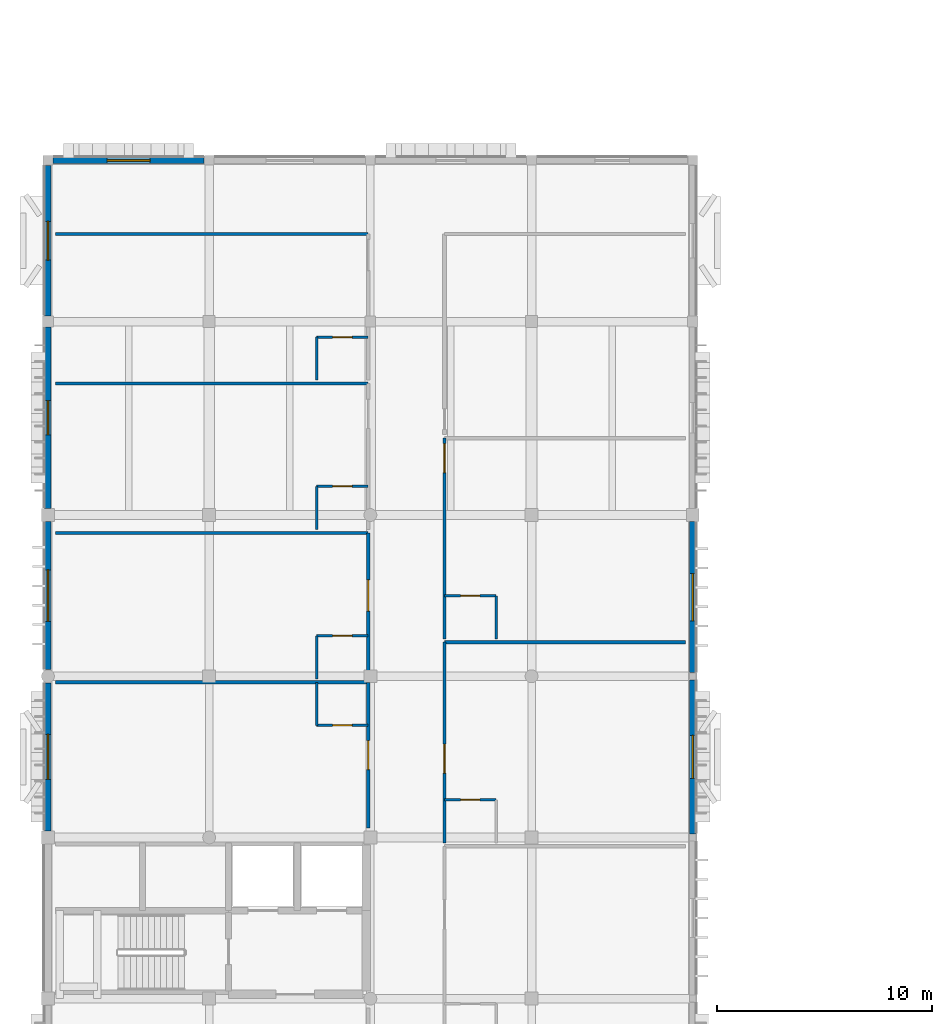
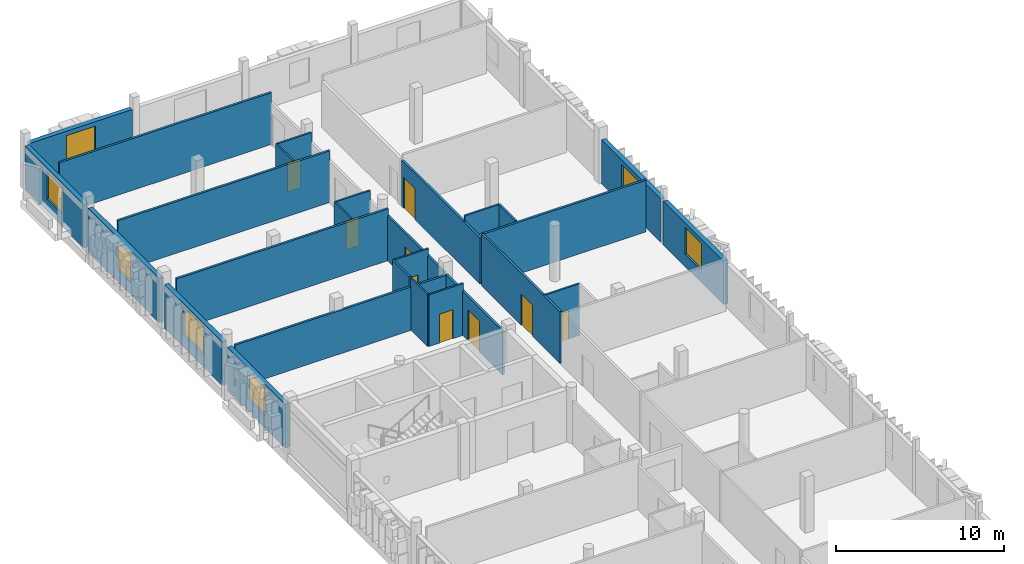
# One storey, part 15 of 33: 27 walls, 10 doors, 7 windows, 17 openings.
"""IFC4 building model written with IfcOpenShell, lengths in metres."""

import ifcopenshell
import ifcopenshell.guid

model = None  # the IFC model being written
_history = None  # IfcOwnerHistory: only IFC2X3 demands one
_inside = {}  # id of a spatial element -> (the spatial element, [elements in it])
_under = {}  # id of a project, library or spatial element -> (it, [spatial elements below it])
_declared = {}  # id of a project -> (the project, [libraries it declares])
_typed = {}  # id of a type object -> (the type object, [elements of that type])
_made_of = {}  # id of a material, layer set ... -> (it, [elements and type objects made of it])


def new_model(schema):
    """Start an empty IFC model of exactly this schema.

    Asked for "IFC4X3", IfcOpenShell would pick the latest addendum, in which some entities
    have other attributes; the version numbers below select the first issue.
    IFC2X3 requires an IfcOwnerHistory on every rooted entity: one is made here for all.
    """
    global model, _history
    if schema == "IFC4X3":
        model = ifcopenshell.file(schema_version=(4, 3, 0, 0))
    else:
        model = ifcopenshell.file(schema=schema)
    _inside.clear()
    _under.clear()
    _declared.clear()
    _typed.clear()
    _made_of.clear()
    _history = None
    if model.schema == "IFC2X3":
        org = make("IfcOrganization", Name="unknown")
        user = make(
            "IfcPersonAndOrganization",
            ThePerson=make("IfcPerson", FamilyName="unknown"),
            TheOrganization=org,
        )
        app = make(
            "IfcApplication",
            ApplicationDeveloper=org,
            Version="unknown",
            ApplicationFullName="unknown",
            ApplicationIdentifier="unknown",
        )
        _history = make(
            "IfcOwnerHistory",
            OwningUser=user,
            OwningApplication=app,
            ChangeAction="ADDED",
            CreationDate=0,
        )
    return model


def make(cls, **values):
    """One entity of the class cls with the attributes given. An attribute that is None is left unset."""
    return model.create_entity(
        cls, **{name: value for name, value in values.items() if value is not None}
    )


def rooted(cls, **values):
    """An entity with a GlobalId (a new one), such as an element, a storey or a relation."""
    return make(cls, GlobalId=ifcopenshell.guid.new(), OwnerHistory=_history, **values)


def si_unit(unit_type, name, prefix=None):
    """IfcSIUnit, for example si_unit("LENGTHUNIT", "METRE", prefix="MILLI")."""
    return make("IfcSIUnit", UnitType=unit_type, Prefix=prefix, Name=name)


def assignment(units):
    """IfcUnitAssignment: the units of a project."""
    return None if units is None else make("IfcUnitAssignment", Units=units)


def point(xyz):
    """IfcCartesianPoint."""
    return None if xyz is None else make("IfcCartesianPoint", Coordinates=xyz)


def direction(xyz):
    """IfcDirection."""
    return None if xyz is None else make("IfcDirection", DirectionRatios=xyz)


def frame(location, z_axis=None, x_axis=None):
    """IfcAxis2Placement3D, a coordinate frame: its origin and axes. An axis left out is left unset."""
    return make(
        "IfcAxis2Placement3D",
        Location=point(location),
        Axis=direction(z_axis),
        RefDirection=direction(x_axis),
    )


def frame_2d(location, x_axis=None):
    """IfcAxis2Placement2D, a coordinate frame in the plane: its origin and x axis."""
    return make(
        "IfcAxis2Placement2D", Location=point(location), RefDirection=direction(x_axis)
    )


def origin():
    """The frame at (0, 0, 0) with its axes left unset."""
    return frame((0.0, 0.0, 0.0))


def place(relative_to, where):
    """IfcLocalPlacement: puts the frame where relative to a parent placement (None: the world)."""
    return make(
        "IfcLocalPlacement", PlacementRelTo=relative_to, RelativePlacement=where
    )


def context(
    kind, dimensions, precision=None, world=None, true_north=None, identifier=None
):
    """IfcGeometricRepresentationContext, for example the 3D "Model" context."""
    return make(
        "IfcGeometricRepresentationContext",
        ContextIdentifier=identifier,
        ContextType=kind,
        CoordinateSpaceDimension=dimensions,
        Precision=precision,
        WorldCoordinateSystem=world,
        TrueNorth=true_north,
    )


def subcontext(parent, identifier, kind, view, scale=None):
    """IfcGeometricRepresentationSubContext, for example "Body" below "Model"."""
    return make(
        "IfcGeometricRepresentationSubContext",
        ContextIdentifier=identifier,
        ContextType=kind,
        ParentContext=parent,
        TargetScale=scale,
        TargetView=view,
    )


def project(units=None, contexts=None):
    """IfcProject with its units and contexts."""
    return rooted(
        "IfcProject",
        Name="project",
        RepresentationContexts=contexts,
        UnitsInContext=assignment(units),
    )


def spatial(cls, under=None, at=None, **own):
    """A site, building, storey or space (cls), placed at a placement, below another one or the project."""
    s = rooted(cls, ObjectPlacement=at, **own)
    if under is not None:
        _under.setdefault(under.id(), (under, []))[1].append(s)
    return s


def profile(cls, at=None, kind="AREA", **sizes):
    """A parametric profile (cls). Its sizes go by their IFC names, for example OverallWidth=200.0."""
    return make(cls, ProfileType=kind, Position=at, **sizes)


def rectangle(**sizes):
    """IfcRectangleProfileDef."""
    return profile("IfcRectangleProfileDef", **sizes)


def extrude(swept, where, along, depth):
    """IfcExtrudedAreaSolid: the profile swept, set in the frame where, extruded along a direction by depth."""
    return make(
        "IfcExtrudedAreaSolid",
        SweptArea=swept,
        Position=where,
        ExtrudedDirection=direction(along),
        Depth=depth,
    )


def shape(context_of_items, identifier, shape_type, items):
    """IfcShapeRepresentation: the items that make up one representation, for example the "Body"."""
    return make(
        "IfcShapeRepresentation",
        ContextOfItems=context_of_items,
        RepresentationIdentifier=identifier,
        RepresentationType=shape_type,
        Items=items,
    )


def material(Name=None, Category=None):
    """IfcMaterial."""
    return make("IfcMaterial", Name=Name, Category=Category)


def layer(
    of_material, thickness, ventilated=None, Name=None, Category=None, Priority=None
):
    """IfcMaterialLayer: one layer of a wall or slab, of a material (None: an air gap)."""
    return make(
        "IfcMaterialLayer",
        Material=of_material,
        LayerThickness=thickness,
        IsVentilated=ventilated,
        Name=Name,
        Category=Category,
        Priority=Priority,
    )


def layer_set(layers, Name=None):
    """IfcMaterialLayerSet."""
    return make("IfcMaterialLayerSet", MaterialLayers=layers, LayerSetName=Name)


def made_of(thing, what):
    """Note that an element or type object is made of a material, layer set ...; save() writes the relation."""
    if what is not None:
        _made_of.setdefault(what.id(), (what, []))[1].append(thing)
    return thing


def type_object(cls, material=None, **own):
    """A type object (cls), such as IfcWallType, which elements share."""
    return made_of(rooted(cls, **own), material)


def element(
    cls,
    number,
    at=None,
    inside=None,
    cuts=None,
    type_object=None,
    material=None,
    context=None,
    identifier="Body",
    shape_type=None,
    held_by="IfcProductDefinitionShape",
    body=None,
    shapes=None,
    **own,
):
    """One element of the class cls, such as IfcWall. Its Tag is "e" and its number.

    at: its placement. inside: the storey or other place that contains it. cuts: it is an
    opening in that element (IfcRelVoidsElement). A single representation is given by context,
    identifier, shape_type and body (its items); several are given by shapes. held_by: the class
    of the entity that holds the representations. save() writes the other relations.
    """
    e = rooted(cls, Tag="e%d" % number, ObjectPlacement=at, **own)
    if body is not None:
        shapes = [shape(context, identifier, shape_type, body)]
    if shapes is not None:
        e.Representation = make(held_by, Representations=shapes)
    if inside is not None:
        _inside.setdefault(inside.id(), (inside, []))[1].append(e)
    if cuts is not None:
        rooted(
            "IfcRelVoidsElement", RelatingBuildingElement=cuts, RelatedOpeningElement=e
        )
    if type_object is not None:
        _typed.setdefault(type_object.id(), (type_object, []))[1].append(e)
    return made_of(e, material)


def fill(opening, filler):
    """IfcRelFillsElement: the door or window that sits in an opening."""
    return rooted(
        "IfcRelFillsElement",
        RelatingOpeningElement=opening,
        RelatedBuildingElement=filler,
    )


def aggregate(whole, parts):
    """IfcRelAggregates: a whole, such as a stair, and the parts it consists of."""
    return rooted("IfcRelAggregates", RelatingObject=whole, RelatedObjects=parts)


def save(model, path):
    """Write the relations noted so far, then the file.

    IfcRelAggregates (storeys below a building ...), IfcRelContainedInSpatialStructure (elements
    in a storey), IfcRelDefinesByType, IfcRelAssociatesMaterial and IfcRelDeclares: one each for
    every whole, place, type object, material and project.
    """
    for whole, parts in _under.values():
        aggregate(whole, parts)
    for where, things in _inside.values():
        rooted(
            "IfcRelContainedInSpatialStructure",
            RelatedElements=things,
            RelatingStructure=where,
        )
    for kind, things in _typed.values():
        rooted("IfcRelDefinesByType", RelatedObjects=things, RelatingType=kind)
    for what, things in _made_of.values():
        rooted("IfcRelAssociatesMaterial", RelatedObjects=things, RelatingMaterial=what)
    for by, libraries in _declared.values():
        rooted("IfcRelDeclares", RelatingContext=by, RelatedDefinitions=libraries)
    model.write(path)


model = new_model("IFC4")

# Units and contexts
model_context = context("Model", 3, precision=1e-05, world=origin(), true_north=direction((0.0, 1.0)))
body_context = subcontext(model_context, "Body", "Model", "MODEL_VIEW")
ifc_project = project(units=[si_unit("LENGTHUNIT", "METRE"), si_unit("AREAUNIT", "SQUARE_METRE"), si_unit("VOLUMEUNIT", "CUBIC_METRE"), si_unit("PLANEANGLEUNIT", "RADIAN"), si_unit("MASSUNIT", "GRAM", prefix="KILO")], contexts=[model_context])

# Site, building, storey
site_placement = place(None, origin())
site = spatial("IfcSite", under=ifc_project, at=site_placement, CompositionType="ELEMENT")
building_placement = place(site_placement, origin())
building = spatial("IfcBuilding", under=site, at=building_placement, Name="Dalvernix Boulevard General Hospital", CompositionType="ELEMENT")
storey_placement = place(building_placement, frame((0.0, 0.0, 21.89990234375)))
storey = spatial("IfcBuildingStorey", under=building, at=storey_placement, Name="L05", CompositionType="ELEMENT", Elevation=21.89990234375)

# Wall, opening, window
ifc_material_1 = material(Name="Pressed Catalan clay brick and ceramic spandrel wall C35/45", Category="masonry")
ifc_layer_1 = layer(ifc_material_1, 0.300048828125)
ifc_layer_set_1 = layer_set([ifc_layer_1], Name="Pressed Catalan clay brick and ceramic spandrel wall C35/45 (WAL-EW-02)")
wall_type_1 = type_object("IfcWallType", Name="WAL-EW-02", PredefinedType="STANDARD", material=ifc_layer_set_1)
wall_1_placement = place(storey_placement, frame((0.0, 61.81005859375, 0.0), z_axis=(0.0, 0.0, 1.0), x_axis=(0.0, 1.0, 0.0)))
wall_1 = element("IfcWall", 1, at=wall_1_placement, inside=storey, type_object=wall_type_1, Name="L05 Catalan brick external wall W 0-8", PredefinedType="STANDARD", context=body_context, shape_type="SweptSolid", body=[
    extrude(rectangle(XDim=6.8798828125, YDim=0.300048828125, at=frame_2d((3.43994140625, 0.0))), origin(), (0.0, 0.0, 1.0), 3.170166015625),
])
opening_1_placement = place(wall_1_placement, frame((2.389892578125, 0.0, 0.89990234375)))
opening_1 = element("IfcOpeningElement", 2, at=opening_1_placement, cuts=wall_1, Name="Opening WN-08", PredefinedType="OPENING", context=body_context, shape_type="SweptSolid", body=[
    extrude(rectangle(XDim=2.10009765625, YDim=1.989990234375, at=frame_2d((1.050048828125, 0.9951171875))), frame((0.0, 0.159912109375, 0.0), z_axis=(0.0, -1.0, 0.0), x_axis=(1.0, 0.0, 0.0)), (0.0, 0.0, 1.0), 0.320068359375),
])
ifc_material_2 = material(Name="Thermally broken aluminium frame with solar-control double glazing", Category="aluminium")
window_type_1 = type_object("IfcWindowType", Name="WIN-WN-08", PartitioningType="SINGLE_PANEL", PredefinedType="WINDOW", material=ifc_material_2)
window_1_placement = place(opening_1_placement, origin())
window_1 = element("IfcWindow", 3, at=window_1_placement, inside=storey, type_object=window_type_1, Name="L05 clinical window WN-08 W 0-8", OverallHeight=1.989990234375, OverallWidth=2.10009765625, PartitioningType="SINGLE_PANEL", PredefinedType="WINDOW", context=body_context, shape_type="SweptSolid", body=[
    extrude(rectangle(XDim=2.10009765625, YDim=1.989990234375, at=frame_2d((1.050048828125, 0.9951171875))), frame((0.0, 0.030029296875, 0.0), z_axis=(0.0, -1.0, 0.0), x_axis=(1.0, 0.0, 0.0)), (0.0, 0.0, 1.0), 0.06005859375),
])
fill(opening_1, window_1)

wall_2_placement = place(storey_placement, frame((0.0, 69.31005859375, 0.0), z_axis=(0.0, 0.0, 1.0), x_axis=(0.0, 1.0, 0.0)))
wall_2 = element("IfcWall", 4, at=wall_2_placement, inside=storey, type_object=wall_type_1, Name="L05 Catalan brick external wall W 0-9", PredefinedType="STANDARD", context=body_context, shape_type="SweptSolid", body=[
    extrude(rectangle(XDim=6.8798828125, YDim=0.300048828125, at=frame_2d((3.43994140625, 0.0))), origin(), (0.0, 0.0, 1.0), 3.170166015625),
])
opening_2_placement = place(wall_2_placement, frame((2.239990234375, 0.0, 0.89990234375)))
opening_2 = element("IfcOpeningElement", 5, at=opening_2_placement, cuts=wall_2, Name="Opening WN-09", PredefinedType="OPENING", context=body_context, shape_type="SweptSolid", body=[
    extrude(rectangle(XDim=2.39990234375, YDim=1.989990234375, at=frame_2d((1.199951171875, 0.9951171875))), frame((0.0, 0.159912109375, 0.0), z_axis=(0.0, -1.0, 0.0), x_axis=(1.0, 0.0, 0.0)), (0.0, 0.0, 1.0), 0.320068359375),
])
window_type_2 = type_object("IfcWindowType", Name="WIN-WN-09", PartitioningType="SINGLE_PANEL", PredefinedType="WINDOW", material=ifc_material_2)
window_2_placement = place(opening_2_placement, origin())
window_2 = element("IfcWindow", 6, at=window_2_placement, inside=storey, type_object=window_type_2, Name="L05 clinical window WN-09 W 0-9", OverallHeight=1.989990234375, OverallWidth=2.39990234375, PartitioningType="SINGLE_PANEL", PredefinedType="WINDOW", context=body_context, shape_type="SweptSolid", body=[
    extrude(rectangle(XDim=2.39990234375, YDim=1.989990234375, at=frame_2d((1.199951171875, 0.9951171875))), frame((0.0, 0.030029296875, 0.0), z_axis=(0.0, -1.0, 0.0), x_axis=(1.0, 0.0, 0.0)), (0.0, 0.0, 1.0), 0.06005859375),
])
fill(opening_2, window_2)

wall_3_placement = place(storey_placement, frame((0.0, 76.81005859375, 0.0), z_axis=(0.0, 0.0, 1.0), x_axis=(0.0, 1.0, 0.0)))
wall_3 = element("IfcWall", 7, at=wall_3_placement, inside=storey, type_object=wall_type_1, Name="L05 Catalan brick external wall W 0-10", PredefinedType="STANDARD", context=body_context, shape_type="SweptSolid", body=[
    extrude(rectangle(XDim=8.429931640625, YDim=0.300048828125, at=frame_2d((4.21484375, 0.0))), origin(), (0.0, 0.0, 1.0), 3.22021484375),
])
opening_3_placement = place(wall_3_placement, frame((3.4150390625, 0.0, 0.89990234375)))
opening_3 = element("IfcOpeningElement", 8, at=opening_3_placement, cuts=wall_3, Name="Opening WN-10", PredefinedType="OPENING", context=body_context, shape_type="SweptSolid", body=[
    extrude(rectangle(XDim=1.60009765625, YDim=1.949951171875, at=frame_2d((0.800048828125, 0.97509765625))), frame((0.0, 0.159912109375, 0.0), z_axis=(0.0, -1.0, 0.0), x_axis=(1.0, 0.0, 0.0)), (0.0, 0.0, 1.0), 0.320068359375),
])
window_type_3 = type_object("IfcWindowType", Name="WIN-WN-10", PartitioningType="SINGLE_PANEL", PredefinedType="WINDOW", material=ifc_material_2)
window_3_placement = place(opening_3_placement, origin())
window_3 = element("IfcWindow", 9, at=window_3_placement, inside=storey, type_object=window_type_3, Name="L05 clinical window WN-10 W 0-10", OverallHeight=1.949951171875, OverallWidth=1.60009765625, PartitioningType="SINGLE_PANEL", PredefinedType="WINDOW", context=body_context, shape_type="SweptSolid", body=[
    extrude(rectangle(XDim=1.60009765625, YDim=1.949951171875, at=frame_2d((0.800048828125, 0.97509765625))), frame((0.0, 0.030029296875, 0.0), z_axis=(0.0, -1.0, 0.0), x_axis=(1.0, 0.0, 0.0)), (0.0, 0.0, 1.0), 0.06005859375),
])
fill(opening_3, window_3)

wall_4_placement = place(storey_placement, frame((0.235107421875, 93.0, 0.0), z_axis=(0.0, 0.0, 1.0), x_axis=(1.0, 0.0, 0.0)))
wall_4 = element("IfcWall", 10, at=wall_4_placement, inside=storey, type_object=wall_type_1, Name="L05 Catalan brick external wall N 0-12", PredefinedType="STANDARD", context=body_context, shape_type="SweptSolid", body=[
    extrude(rectangle(XDim=7.02978515625, YDim=0.300048828125, at=frame_2d((3.514892578125, 0.0))), origin(), (0.0, 0.0, 1.0), 3.170166015625),
])
opening_4_placement = place(wall_4_placement, frame((2.514892578125, 0.0, 0.89990234375)))
opening_4 = element("IfcOpeningElement", 11, at=opening_4_placement, cuts=wall_4, Name="Opening WN-12", PredefinedType="OPENING", context=body_context, shape_type="SweptSolid", body=[
    extrude(rectangle(XDim=2.0, YDim=1.949951171875, at=frame_2d((1.0, 0.97509765625))), frame((0.0, 0.159912109375, 0.0), z_axis=(0.0, -1.0, 0.0), x_axis=(1.0, 0.0, 0.0)), (0.0, 0.0, 1.0), 0.320068359375),
])
window_type_4 = type_object("IfcWindowType", Name="WIN-WN-12", PartitioningType="SINGLE_PANEL", PredefinedType="WINDOW", material=ifc_material_2)
window_4_placement = place(opening_4_placement, origin())
window_4 = element("IfcWindow", 12, at=window_4_placement, inside=storey, type_object=window_type_4, Name="L05 clinical window WN-12 N 0-12", OverallHeight=1.949951171875, OverallWidth=2.0, PartitioningType="SINGLE_PANEL", PredefinedType="WINDOW", context=body_context, shape_type="SweptSolid", body=[
    extrude(rectangle(XDim=2.0, YDim=1.949951171875, at=frame_2d((1.0, 0.97509765625))), frame((0.0, 0.030029296875, 0.0), z_axis=(0.0, -1.0, 0.0), x_axis=(1.0, 0.0, 0.0)), (0.0, 0.0, 1.0), 0.06005859375),
])
fill(opening_4, window_4)

wall_5_placement = place(storey_placement, frame((0.0, 85.760009765625, 0.0), z_axis=(0.0, 0.0, 1.0), x_axis=(0.0, 1.0, 0.0)))
wall_5 = element("IfcWall", 13, at=wall_5_placement, inside=storey, type_object=wall_type_1, Name="L05 Catalan brick external wall W 0-11", PredefinedType="STANDARD", context=body_context, shape_type="SweptSolid", body=[
    extrude(rectangle(XDim=7.0048828125, YDim=0.300048828125, at=frame_2d((3.50244140625, 0.0))), origin(), (0.0, 0.0, 1.0), 3.170166015625),
])
opening_5_placement = place(wall_5_placement, frame((2.6025390625, 0.0, 0.89990234375)))
opening_5 = element("IfcOpeningElement", 14, at=opening_5_placement, cuts=wall_5, Name="Opening WN-11", PredefinedType="OPENING", context=body_context, shape_type="SweptSolid", body=[
    extrude(rectangle(XDim=1.800048828125, YDim=1.949951171875, at=frame_2d((0.89990234375, 0.97509765625))), frame((0.0, 0.159912109375, 0.0), z_axis=(0.0, -1.0, 0.0), x_axis=(1.0, 0.0, 0.0)), (0.0, 0.0, 1.0), 0.320068359375),
])
window_type_5 = type_object("IfcWindowType", Name="WIN-WN-11", PartitioningType="SINGLE_PANEL", PredefinedType="WINDOW", material=ifc_material_2)
window_5_placement = place(opening_5_placement, origin())
window_5 = element("IfcWindow", 15, at=window_5_placement, inside=storey, type_object=window_type_5, Name="L05 clinical window WN-11 W 0-11", OverallHeight=1.949951171875, OverallWidth=1.800048828125, PartitioningType="SINGLE_PANEL", PredefinedType="WINDOW", context=body_context, shape_type="SweptSolid", body=[
    extrude(rectangle(XDim=1.800048828125, YDim=1.949951171875, at=frame_2d((0.89990234375, 0.97509765625))), frame((0.0, 0.030029296875, 0.0), z_axis=(0.0, -1.0, 0.0), x_axis=(1.0, 0.0, 0.0)), (0.0, 0.0, 1.0), 0.06005859375),
])
fill(opening_5, window_5)

wall_6_placement = place(storey_placement, frame((30.0, 68.830078125, 0.0), z_axis=(0.0, 0.0, 1.0), x_axis=(0.0, -1.0, 0.0)))
wall_6 = element("IfcWall", 16, at=wall_6_placement, inside=storey, type_object=wall_type_1, Name="L05 Catalan brick external wall E 4-8", PredefinedType="STANDARD", context=body_context, shape_type="SweptSolid", body=[
    extrude(rectangle(XDim=7.16015625, YDim=0.300048828125, at=frame_2d((3.580078125, 0.0))), origin(), (0.0, 0.0, 1.0), 3.170166015625),
])
opening_6_placement = place(wall_6_placement, frame((2.580078125, 0.0, 0.89990234375)))
opening_6 = element("IfcOpeningElement", 17, at=opening_6_placement, cuts=wall_6, Name="Opening WN-12", PredefinedType="OPENING", context=body_context, shape_type="SweptSolid", body=[
    extrude(rectangle(XDim=2.0, YDim=1.949951171875, at=frame_2d((1.0, 0.97509765625))), frame((0.0, 0.159912109375, 0.0), z_axis=(0.0, -1.0, 0.0), x_axis=(1.0, 0.0, 0.0)), (0.0, 0.0, 1.0), 0.320068359375),
])
window_6_placement = place(opening_6_placement, origin())
window_6 = element("IfcWindow", 18, at=window_6_placement, inside=storey, type_object=window_type_4, Name="L05 clinical window WN-12 E 4-8", OverallHeight=1.949951171875, OverallWidth=2.0, PartitioningType="SINGLE_PANEL", PredefinedType="WINDOW", context=body_context, shape_type="SweptSolid", body=[
    extrude(rectangle(XDim=2.0, YDim=1.949951171875, at=frame_2d((1.0, 0.97509765625))), frame((0.0, 0.030029296875, 0.0), z_axis=(0.0, -1.0, 0.0), x_axis=(1.0, 0.0, 0.0)), (0.0, 0.0, 1.0), 0.06005859375),
])
fill(opening_6, window_6)

wall_7_placement = place(storey_placement, frame((30.0, 76.18994140625, 0.0), z_axis=(0.0, 0.0, 1.0), x_axis=(0.0, -1.0, 0.0)))
wall_7 = element("IfcWall", 19, at=wall_7_placement, inside=storey, type_object=wall_type_1, Name="L05 Catalan brick external wall E 4-9", PredefinedType="STANDARD", context=body_context, shape_type="SweptSolid", body=[
    extrude(rectangle(XDim=7.02001953125, YDim=0.300048828125, at=frame_2d((3.510009765625, 0.0))), origin(), (0.0, 0.0, 1.0), 3.170166015625),
])
opening_7_placement = place(wall_7_placement, frame((2.409912109375, 0.0, 0.89990234375)))
opening_7 = element("IfcOpeningElement", 20, at=opening_7_placement, cuts=wall_7, Name="Opening WN-13", PredefinedType="OPENING", context=body_context, shape_type="SweptSolid", body=[
    extrude(rectangle(XDim=2.199951171875, YDim=1.949951171875, at=frame_2d((1.10009765625, 0.97509765625))), frame((0.0, 0.159912109375, 0.0), z_axis=(0.0, -1.0, 0.0), x_axis=(1.0, 0.0, 0.0)), (0.0, 0.0, 1.0), 0.320068359375),
])
window_type_6 = type_object("IfcWindowType", Name="WIN-WN-13", PartitioningType="SINGLE_PANEL", PredefinedType="WINDOW", material=ifc_material_2)
window_7_placement = place(opening_7_placement, origin())
window_7 = element("IfcWindow", 21, at=window_7_placement, inside=storey, type_object=window_type_6, Name="L05 clinical window WN-13 E 4-9", OverallHeight=1.949951171875, OverallWidth=2.199951171875, PartitioningType="SINGLE_PANEL", PredefinedType="WINDOW", context=body_context, shape_type="SweptSolid", body=[
    extrude(rectangle(XDim=2.199951171875, YDim=1.949951171875, at=frame_2d((1.10009765625, 0.97509765625))), frame((0.0, 0.030029296875, 0.0), z_axis=(0.0, -1.0, 0.0), x_axis=(1.0, 0.0, 0.0)), (0.0, 0.0, 1.0), 0.06005859375),
])
fill(opening_7, window_7)

# Wall, opening, door
ifc_material_3 = material(Name="Acoustic double-stud gypsum inpatient partition")
ifc_layer_2 = layer(ifc_material_3, 0.14990234375)
ifc_layer_set_2 = layer_set([ifc_layer_2], Name="Acoustic double-stud gypsum inpatient partition (WAL-IW-04)")
wall_type_2 = type_object("IfcWallType", Name="WAL-IW-04", PredefinedType="PARTITIONING", material=ifc_layer_set_2)
wall_8_placement = place(storey_placement, frame((14.89990234375, 61.929931640625, 0.0), z_axis=(0.0, 0.0, 1.0), x_axis=(0.0, 1.0, 0.0)))
wall_8 = element("IfcWall", 22, at=wall_8_placement, inside=storey, type_object=wall_type_2, Name="L05 Orthopaedic Single Patient Room L05-W07 corridor wall", PredefinedType="PARTITIONING", context=body_context, shape_type="SweptSolid", body=[
    extrude(rectangle(XDim=6.7900390625, YDim=0.14990234375, at=frame_2d((3.39501953125, 0.0))), origin(), (0.0, 0.0, 1.0), 3.205078125),
])
opening_8_placement = place(wall_8_placement, frame((2.719970703125, 0.0, 0.0)))
opening_8 = element("IfcOpeningElement", 23, at=opening_8_placement, cuts=wall_8, Name="Opening ID-01", PredefinedType="OPENING", context=body_context, shape_type="SweptSolid", body=[
    extrude(rectangle(XDim=1.35009765625, YDim=2.25, at=frame_2d((0.675048828125, 1.125))), frame((0.0, 0.0849609375, 0.0), z_axis=(0.0, -1.0, 0.0), x_axis=(1.0, 0.0, 0.0)), (0.0, 0.0, 1.0), 0.169921875),
])
ifc_material_4 = material(Name="Hospital laminate acoustic timber and steel frame", Category="steel")
door_type_1 = type_object("IfcDoorType", Name="DR-ID-01", OperationType="NOTDEFINED", PredefinedType="DOOR", material=ifc_material_4)
door_1_placement = place(opening_8_placement, origin())
door_1 = element("IfcDoor", 24, at=door_1_placement, inside=storey, type_object=door_type_1, Name="L05 Orthopaedic Single Patient Room L05-W07 door", OperationType="SINGLE_SWING_RIGHT", OverallHeight=2.25, OverallWidth=1.35009765625, PredefinedType="DOOR", context=body_context, shape_type="SweptSolid", body=[
    extrude(rectangle(XDim=1.35009765625, YDim=2.25, at=frame_2d((0.675048828125, 1.125))), frame((0.0, 0.02490234375, 0.0), z_axis=(0.0, -1.0, 0.0), x_axis=(1.0, 0.0, 0.0)), (0.0, 0.0, 1.0), 0.050048828125),
])
fill(opening_8, door_1)

wall_9_placement = place(storey_placement, frame((14.89990234375, 68.8798828125, 0.0), z_axis=(0.0, 0.0, 1.0), x_axis=(0.0, 1.0, 0.0)))
wall_9 = element("IfcWall", 25, at=wall_9_placement, inside=storey, type_object=wall_type_2, Name="L05 Four Bed Surgical Recovery Ward L05-W08 corridor wall", PredefinedType="PARTITIONING", context=body_context, shape_type="SweptSolid", body=[
    extrude(rectangle(XDim=6.7900390625, YDim=0.14990234375, at=frame_2d((3.39501953125, 0.0))), origin(), (0.0, 0.0, 1.0), 3.255126953125),
])
opening_9_placement = place(wall_9_placement, frame((3.154052734375, 0.0, 0.0)))
opening_9 = element("IfcOpeningElement", 26, at=opening_9_placement, cuts=wall_9, Name="Opening ID-02", PredefinedType="OPENING", context=body_context, shape_type="SweptSolid", body=[
    extrude(rectangle(XDim=1.449951171875, YDim=2.300048828125, at=frame_2d((0.72509765625, 1.14990234375))), frame((0.0, 0.0849609375, 0.0), z_axis=(0.0, -1.0, 0.0), x_axis=(1.0, 0.0, 0.0)), (0.0, 0.0, 1.0), 0.169921875),
])
door_type_2 = type_object("IfcDoorType", Name="DR-ID-02", OperationType="NOTDEFINED", PredefinedType="DOOR", material=ifc_material_4)
door_2_placement = place(opening_9_placement, origin())
door_2 = element("IfcDoor", 27, at=door_2_placement, inside=storey, type_object=door_type_2, Name="L05 Four Bed Surgical Recovery Ward L05-W08 door", OperationType="SINGLE_SWING_RIGHT", OverallHeight=2.300048828125, OverallWidth=1.449951171875, PredefinedType="DOOR", context=body_context, shape_type="SweptSolid", body=[
    extrude(rectangle(XDim=1.449951171875, YDim=2.300048828125, at=frame_2d((0.72509765625, 1.14990234375))), frame((0.0, 0.02490234375, 0.0), z_axis=(0.0, -1.0, 0.0), x_axis=(1.0, 0.0, 0.0)), (0.0, 0.0, 1.0), 0.050048828125),
])
fill(opening_9, door_2)

wall_10_placement = place(storey_placement, frame((18.449951171875, 70.58251953125, 0.0), z_axis=(0.0, 0.0, 1.0), x_axis=(0.0, -1.0, 0.0)))
wall_10 = element("IfcWall", 28, at=wall_10_placement, inside=storey, type_object=wall_type_2, Name="L05 Single Patient Room L05-E05 corridor wall", PredefinedType="PARTITIONING", context=body_context, shape_type="SweptSolid", body=[
    extrude(rectangle(XDim=9.333740234375, YDim=0.14990234375, at=frame_2d((4.6669921875, 0.0))), origin(), (0.0, 0.0, 1.0), 3.755126953125),
])
opening_10_placement = place(wall_10_placement, frame((4.740234375, 0.0, 0.0)))
opening_10 = element("IfcOpeningElement", 29, at=opening_10_placement, cuts=wall_10, Name="Opening ID-01", PredefinedType="OPENING", context=body_context, shape_type="SweptSolid", body=[
    extrude(rectangle(XDim=1.35009765625, YDim=2.25, at=frame_2d((0.675048828125, 1.125))), frame((0.0, 0.0849609375, 0.0), z_axis=(0.0, -1.0, 0.0), x_axis=(1.0, 0.0, 0.0)), (0.0, 0.0, 1.0), 0.169921875),
])
door_3_placement = place(opening_10_placement, origin())
door_3 = element("IfcDoor", 30, at=door_3_placement, inside=storey, type_object=door_type_1, Name="L05 Single Patient Room L05-E05 door", OperationType="SINGLE_SWING_LEFT", OverallHeight=2.25, OverallWidth=1.35009765625, PredefinedType="DOOR", context=body_context, shape_type="SweptSolid", body=[
    extrude(rectangle(XDim=1.35009765625, YDim=2.25, at=frame_2d((0.675048828125, 1.125))), frame((0.0, 0.02490234375, 0.0), z_axis=(0.0, -1.0, 0.0), x_axis=(1.0, 0.0, 0.0)), (0.0, 0.0, 1.0), 0.050048828125),
])
fill(opening_10, door_3)

wall_11_placement = place(storey_placement, frame((18.449951171875, 80.076416015625, 0.0), z_axis=(0.0, 0.0, 1.0), x_axis=(0.0, -1.0, 0.0)))
wall_11 = element("IfcWall", 31, at=wall_11_placement, inside=storey, type_object=wall_type_2, Name="L05 Single Patient Room L05-E06 corridor wall", PredefinedType="PARTITIONING", context=body_context, shape_type="SweptSolid", body=[
    extrude(rectangle(XDim=9.333984375, YDim=0.14990234375, at=frame_2d((4.6669921875, 0.0))), origin(), (0.0, 0.0, 1.0), 3.35498046875),
])
opening_11_placement = place(wall_11_placement, frame((0.25, 0.0, 0.0)))
opening_11 = element("IfcOpeningElement", 32, at=opening_11_placement, cuts=wall_11, Name="Opening ID-01", PredefinedType="OPENING", context=body_context, shape_type="SweptSolid", body=[
    extrude(rectangle(XDim=1.35009765625, YDim=2.25, at=frame_2d((0.675048828125, 1.125))), frame((0.0, 0.0849609375, 0.0), z_axis=(0.0, -1.0, 0.0), x_axis=(1.0, 0.0, 0.0)), (0.0, 0.0, 1.0), 0.169921875),
])
door_4_placement = place(opening_11_placement, origin())
door_4 = element("IfcDoor", 33, at=door_4_placement, inside=storey, type_object=door_type_1, Name="L05 Single Patient Room L05-E06 door", OperationType="SINGLE_SWING_LEFT", OverallHeight=2.25, OverallWidth=1.35009765625, PredefinedType="DOOR", context=body_context, shape_type="SweptSolid", body=[
    extrude(rectangle(XDim=1.35009765625, YDim=2.25, at=frame_2d((0.675048828125, 1.125))), frame((0.0, 0.02490234375, 0.0), z_axis=(0.0, -1.0, 0.0), x_axis=(1.0, 0.0, 0.0)), (0.0, 0.0, 1.0), 0.050048828125),
])
fill(opening_11, door_4)

# Walls
wall_12_placement = place(storey_placement, frame((0.35009765625, 68.719970703125, 0.0), z_axis=(0.0, 0.0, 1.0), x_axis=(1.0, 0.0, 0.0)))
element("IfcWall", 34, at=wall_12_placement, inside=storey, type_object=wall_type_2, Name="L05 Orthopaedic Single Patient Room L05-W07 partition", PredefinedType="PARTITIONING", context=body_context, shape_type="SweptSolid", body=[
    extrude(rectangle(XDim=14.5498046875, YDim=0.14990234375, at=frame_2d((7.27490234375, 0.0))), origin(), (0.0, 0.0, 1.0), 3.155029296875),
])
for number, where, z_axis, x_axis, name in (
    (35, (0.35009765625, 75.669921875, 0.0), (0.0, 0.0, 1.0), (1.0, 0.0, 0.0), "L05 Four Bed Surgical Recovery Ward L05-W08 partition"),
    (36, (0.35009765625, 82.6201171875, 0.0), (0.0, 0.0, 1.0), (1.0, 0.0, 0.0), "L05 Orthopaedic Single Patient Room L05-W09 partition"),
    (37, (0.35009765625, 89.570068359375, 0.0), (0.0, 0.0, 1.0), (1.0, 0.0, 0.0), "L05 Four Bed Surgical Recovery Ward L05-W10 partition"),
):
    element("IfcWall", number, at=place(storey_placement, frame(where, z_axis=z_axis, x_axis=x_axis)), inside=storey, type_object=wall_type_2, Name=name, PredefinedType="PARTITIONING", context=body_context, shape_type="SweptSolid", body=[
        extrude(rectangle(XDim=14.5498046875, YDim=0.14990234375, at=frame_2d((7.27490234375, 0.0))), origin(), (0.0, 0.0, 1.0), 3.755126953125),
    ])
wall_13_placement = place(storey_placement, frame((18.449951171875, 70.58251953125, 0.0), z_axis=(0.0, 0.0, 1.0), x_axis=(1.0, 0.0, 0.0)))
element("IfcWall", 38, at=wall_13_placement, inside=storey, type_object=wall_type_2, Name="L05 Single Patient Room L05-E05 partition", PredefinedType="PARTITIONING", context=body_context, shape_type="SweptSolid", body=[
    extrude(rectangle(XDim=11.199951171875, YDim=0.14990234375, at=frame_2d((5.60009765625, 0.0))), origin(), (0.0, 0.0, 1.0), 3.755126953125),
])

# Wall, opening, door
ifc_material_5 = material(Name="Moisture-resistant en-suite bathroom partition")
ifc_layer_3 = layer(ifc_material_5, 0.1201171875)
ifc_layer_set_3 = layer_set([ifc_layer_3], Name="Moisture-resistant en-suite bathroom partition (WAL-IW-05)")
wall_type_3 = type_object("IfcWallType", Name="WAL-IW-05", PredefinedType="PARTITIONING", material=ifc_layer_set_3)
wall_14_placement = place(storey_placement, frame((12.5, 66.719970703125, 0.0), z_axis=(0.0, 0.0, 1.0), x_axis=(1.0, 0.0, 0.0)))
wall_14 = element("IfcWall", 39, at=wall_14_placement, inside=storey, type_object=wall_type_3, Name="L05 en-suite bathroom door wall", PredefinedType="PARTITIONING", context=body_context, shape_type="SweptSolid", body=[
    extrude(rectangle(XDim=2.39990234375, YDim=0.1201171875, at=frame_2d((1.199951171875, 0.0))), origin(), (0.0, 0.0, 1.0), 3.755126953125),
])
opening_12_placement = place(wall_14_placement, frame((0.75, 0.0, 0.0)))
opening_12 = element("IfcOpeningElement", 40, at=opening_12_placement, cuts=wall_14, Name="Opening ID-05", PredefinedType="OPENING", context=body_context, shape_type="SweptSolid", body=[
    extrude(rectangle(XDim=0.89990234375, YDim=2.10009765625, at=frame_2d((0.449951171875, 1.050048828125))), frame((0.0, 0.070068359375, 0.0), z_axis=(0.0, -1.0, 0.0), x_axis=(1.0, 0.0, 0.0)), (0.0, 0.0, 1.0), 0.14013671875),
])
door_type_3 = type_object("IfcDoorType", Name="DR-ID-05", OperationType="NOTDEFINED", PredefinedType="DOOR", material=ifc_material_4)
door_5_placement = place(opening_12_placement, origin())
door_5 = element("IfcDoor", 41, at=door_5_placement, inside=storey, type_object=door_type_3, Name="L05 L05-WRD-W07 en-suite bathroom door", OperationType="SINGLE_SWING_LEFT", OverallHeight=2.10009765625, OverallWidth=0.89990234375, PredefinedType="DOOR", context=body_context, shape_type="SweptSolid", body=[
    extrude(rectangle(XDim=0.89990234375, YDim=2.10009765625, at=frame_2d((0.449951171875, 1.050048828125))), frame((0.0, 0.02490234375, 0.0), z_axis=(0.0, -1.0, 0.0), x_axis=(1.0, 0.0, 0.0)), (0.0, 0.0, 1.0), 0.050048828125),
])
fill(opening_12, door_5)

# Wall
wall_15_placement = place(storey_placement, frame((12.5, 66.719970703125, 0.0), z_axis=(0.0, 0.0, 1.0), x_axis=(0.0, 1.0, 0.0)))
element("IfcWall", 42, at=wall_15_placement, inside=storey, type_object=wall_type_3, Name="L05 en-suite bathroom side wall", PredefinedType="PARTITIONING", context=body_context, shape_type="SweptSolid", body=[
    extrude(rectangle(XDim=2.0, YDim=0.1201171875, at=frame_2d((1.0, 0.0))), origin(), (0.0, 0.0, 1.0), 3.755126953125),
])

# Wall, opening, door
wall_16_placement = place(storey_placement, frame((14.89990234375, 70.8798828125, 0.0), z_axis=(0.0, 0.0, 1.0), x_axis=(-1.0, 0.0, 0.0)))
wall_16 = element("IfcWall", 43, at=wall_16_placement, inside=storey, type_object=wall_type_3, Name="L05 en-suite bathroom door wall", PredefinedType="PARTITIONING", context=body_context, shape_type="SweptSolid", body=[
    extrude(rectangle(XDim=2.39990234375, YDim=0.1201171875, at=frame_2d((1.199951171875, 0.0))), origin(), (0.0, 0.0, 1.0), 3.755126953125),
])
opening_13_placement = place(wall_16_placement, frame((0.75, 0.0, 0.0)))
opening_13 = element("IfcOpeningElement", 44, at=opening_13_placement, cuts=wall_16, Name="Opening ID-05", PredefinedType="OPENING", context=body_context, shape_type="SweptSolid", body=[
    extrude(rectangle(XDim=0.89990234375, YDim=2.10009765625, at=frame_2d((0.449951171875, 1.050048828125))), frame((0.0, 0.070068359375, 0.0), z_axis=(0.0, -1.0, 0.0), x_axis=(1.0, 0.0, 0.0)), (0.0, 0.0, 1.0), 0.14013671875),
])
door_6_placement = place(opening_13_placement, origin())
door_6 = element("IfcDoor", 45, at=door_6_placement, inside=storey, type_object=door_type_3, Name="L05 L05-WRD-W08 en-suite bathroom door", OperationType="SINGLE_SWING_LEFT", OverallHeight=2.10009765625, OverallWidth=0.89990234375, PredefinedType="DOOR", context=body_context, shape_type="SweptSolid", body=[
    extrude(rectangle(XDim=0.89990234375, YDim=2.10009765625, at=frame_2d((0.449951171875, 1.050048828125))), frame((0.0, 0.02490234375, 0.0), z_axis=(0.0, -1.0, 0.0), x_axis=(1.0, 0.0, 0.0)), (0.0, 0.0, 1.0), 0.050048828125),
])
fill(opening_13, door_6)

# Wall
wall_17_placement = place(storey_placement, frame((12.5, 68.8798828125, 0.0), z_axis=(0.0, 0.0, 1.0), x_axis=(0.0, 1.0, 0.0)))
element("IfcWall", 46, at=wall_17_placement, inside=storey, type_object=wall_type_3, Name="L05 en-suite bathroom side wall", PredefinedType="PARTITIONING", context=body_context, shape_type="SweptSolid", body=[
    extrude(rectangle(XDim=2.0, YDim=0.1201171875, at=frame_2d((1.0, 0.0))), origin(), (0.0, 0.0, 1.0), 3.755126953125),
])

# Wall, opening, door
wall_18_placement = place(storey_placement, frame((14.89990234375, 77.830078125, 0.0), z_axis=(0.0, 0.0, 1.0), x_axis=(-1.0, 0.0, 0.0)))
wall_18 = element("IfcWall", 47, at=wall_18_placement, inside=storey, type_object=wall_type_3, Name="L05 en-suite bathroom door wall", PredefinedType="PARTITIONING", context=body_context, shape_type="SweptSolid", body=[
    extrude(rectangle(XDim=2.39990234375, YDim=0.1201171875, at=frame_2d((1.199951171875, 0.0))), origin(), (0.0, 0.0, 1.0), 3.755126953125),
])
opening_14_placement = place(wall_18_placement, frame((0.75, 0.0, 0.0)))
opening_14 = element("IfcOpeningElement", 48, at=opening_14_placement, cuts=wall_18, Name="Opening ID-05", PredefinedType="OPENING", context=body_context, shape_type="SweptSolid", body=[
    extrude(rectangle(XDim=0.89990234375, YDim=2.10009765625, at=frame_2d((0.449951171875, 1.050048828125))), frame((0.0, 0.070068359375, 0.0), z_axis=(0.0, -1.0, 0.0), x_axis=(1.0, 0.0, 0.0)), (0.0, 0.0, 1.0), 0.14013671875),
])
door_7_placement = place(opening_14_placement, origin())
door_7 = element("IfcDoor", 49, at=door_7_placement, inside=storey, type_object=door_type_3, Name="L05 L05-WRD-W09 en-suite bathroom door", OperationType="SINGLE_SWING_LEFT", OverallHeight=2.10009765625, OverallWidth=0.89990234375, PredefinedType="DOOR", context=body_context, shape_type="SweptSolid", body=[
    extrude(rectangle(XDim=0.89990234375, YDim=2.10009765625, at=frame_2d((0.449951171875, 1.050048828125))), frame((0.0, 0.02490234375, 0.0), z_axis=(0.0, -1.0, 0.0), x_axis=(1.0, 0.0, 0.0)), (0.0, 0.0, 1.0), 0.050048828125),
])
fill(opening_14, door_7)

# Wall
wall_19_placement = place(storey_placement, frame((12.5, 75.830078125, 0.0), z_axis=(0.0, 0.0, 1.0), x_axis=(0.0, 1.0, 0.0)))
element("IfcWall", 50, at=wall_19_placement, inside=storey, type_object=wall_type_3, Name="L05 en-suite bathroom side wall", PredefinedType="PARTITIONING", context=body_context, shape_type="SweptSolid", body=[
    extrude(rectangle(XDim=2.0, YDim=0.1201171875, at=frame_2d((1.0, 0.0))), origin(), (0.0, 0.0, 1.0), 3.755126953125),
])

# Wall, opening, door
wall_20_placement = place(storey_placement, frame((14.89990234375, 84.780029296875, 0.0), z_axis=(0.0, 0.0, 1.0), x_axis=(-1.0, 0.0, 0.0)))
wall_20 = element("IfcWall", 51, at=wall_20_placement, inside=storey, type_object=wall_type_3, Name="L05 en-suite bathroom door wall", PredefinedType="PARTITIONING", context=body_context, shape_type="SweptSolid", body=[
    extrude(rectangle(XDim=2.39990234375, YDim=0.1201171875, at=frame_2d((1.199951171875, 0.0))), origin(), (0.0, 0.0, 1.0), 3.755126953125),
])
opening_15_placement = place(wall_20_placement, frame((0.75, 0.0, 0.0)))
opening_15 = element("IfcOpeningElement", 52, at=opening_15_placement, cuts=wall_20, Name="Opening ID-05", PredefinedType="OPENING", context=body_context, shape_type="SweptSolid", body=[
    extrude(rectangle(XDim=0.89990234375, YDim=2.10009765625, at=frame_2d((0.449951171875, 1.050048828125))), frame((0.0, 0.070068359375, 0.0), z_axis=(0.0, -1.0, 0.0), x_axis=(1.0, 0.0, 0.0)), (0.0, 0.0, 1.0), 0.14013671875),
])
door_8_placement = place(opening_15_placement, origin())
door_8 = element("IfcDoor", 53, at=door_8_placement, inside=storey, type_object=door_type_3, Name="L05 L05-WRD-W10 en-suite bathroom door", OperationType="SINGLE_SWING_LEFT", OverallHeight=2.10009765625, OverallWidth=0.89990234375, PredefinedType="DOOR", context=body_context, shape_type="SweptSolid", body=[
    extrude(rectangle(XDim=0.89990234375, YDim=2.10009765625, at=frame_2d((0.449951171875, 1.050048828125))), frame((0.0, 0.02490234375, 0.0), z_axis=(0.0, -1.0, 0.0), x_axis=(1.0, 0.0, 0.0)), (0.0, 0.0, 1.0), 0.050048828125),
])
fill(opening_15, door_8)

# Wall
wall_21_placement = place(storey_placement, frame((12.5, 82.780029296875, 0.0), z_axis=(0.0, 0.0, 1.0), x_axis=(0.0, 1.0, 0.0)))
element("IfcWall", 54, at=wall_21_placement, inside=storey, type_object=wall_type_3, Name="L05 en-suite bathroom side wall", PredefinedType="PARTITIONING", context=body_context, shape_type="SweptSolid", body=[
    extrude(rectangle(XDim=2.0, YDim=0.1201171875, at=frame_2d((1.0, 0.0))), origin(), (0.0, 0.0, 1.0), 3.755126953125),
])

# Wall, opening, door
wall_22_placement = place(storey_placement, frame((20.85009765625, 63.248779296875, 0.0), z_axis=(0.0, 0.0, 1.0), x_axis=(-1.0, 0.0, 0.0)))
wall_22 = element("IfcWall", 55, at=wall_22_placement, inside=storey, type_object=wall_type_3, Name="L05 en-suite bathroom door wall", PredefinedType="PARTITIONING", context=body_context, shape_type="SweptSolid", body=[
    extrude(rectangle(XDim=2.400146484375, YDim=0.1201171875, at=frame_2d((1.2001953125, 0.0))), origin(), (0.0, 0.0, 1.0), 3.755126953125),
])
opening_16_placement = place(wall_22_placement, frame((0.75, 0.0, 0.0)))
opening_16 = element("IfcOpeningElement", 56, at=opening_16_placement, cuts=wall_22, Name="Opening ID-05", PredefinedType="OPENING", context=body_context, shape_type="SweptSolid", body=[
    extrude(rectangle(XDim=0.89990234375, YDim=2.10009765625, at=frame_2d((0.449951171875, 1.050048828125))), frame((0.0, 0.070068359375, 0.0), z_axis=(0.0, -1.0, 0.0), x_axis=(1.0, 0.0, 0.0)), (0.0, 0.0, 1.0), 0.14013671875),
])
door_9_placement = place(opening_16_placement, origin())
door_9 = element("IfcDoor", 57, at=door_9_placement, inside=storey, type_object=door_type_3, Name="L05 L05-RM-E05 en-suite bathroom door", OperationType="SINGLE_SWING_RIGHT", OverallHeight=2.10009765625, OverallWidth=0.89990234375, PredefinedType="DOOR", context=body_context, shape_type="SweptSolid", body=[
    extrude(rectangle(XDim=0.89990234375, YDim=2.10009765625, at=frame_2d((0.449951171875, 1.050048828125))), frame((0.0, 0.02490234375, 0.0), z_axis=(0.0, -1.0, 0.0), x_axis=(1.0, 0.0, 0.0)), (0.0, 0.0, 1.0), 0.050048828125),
])
fill(opening_16, door_9)

wall_23_placement = place(storey_placement, frame((20.85009765625, 72.742431640625, 0.0), z_axis=(0.0, 0.0, 1.0), x_axis=(-1.0, 0.0, 0.0)))
wall_23 = element("IfcWall", 58, at=wall_23_placement, inside=storey, type_object=wall_type_3, Name="L05 en-suite bathroom door wall", PredefinedType="PARTITIONING", context=body_context, shape_type="SweptSolid", body=[
    extrude(rectangle(XDim=2.400146484375, YDim=0.1201171875, at=frame_2d((1.2001953125, 0.0))), origin(), (0.0, 0.0, 1.0), 3.755126953125),
])
opening_17_placement = place(wall_23_placement, frame((0.75, 0.0, 0.0)))
opening_17 = element("IfcOpeningElement", 59, at=opening_17_placement, cuts=wall_23, Name="Opening ID-05", PredefinedType="OPENING", context=body_context, shape_type="SweptSolid", body=[
    extrude(rectangle(XDim=0.89990234375, YDim=2.10009765625, at=frame_2d((0.449951171875, 1.050048828125))), frame((0.0, 0.070068359375, 0.0), z_axis=(0.0, -1.0, 0.0), x_axis=(1.0, 0.0, 0.0)), (0.0, 0.0, 1.0), 0.14013671875),
])
door_10_placement = place(opening_17_placement, origin())
door_10 = element("IfcDoor", 60, at=door_10_placement, inside=storey, type_object=door_type_3, Name="L05 L05-RM-E06 en-suite bathroom door", OperationType="SINGLE_SWING_RIGHT", OverallHeight=2.10009765625, OverallWidth=0.89990234375, PredefinedType="DOOR", context=body_context, shape_type="SweptSolid", body=[
    extrude(rectangle(XDim=0.89990234375, YDim=2.10009765625, at=frame_2d((0.449951171875, 1.050048828125))), frame((0.0, 0.02490234375, 0.0), z_axis=(0.0, -1.0, 0.0), x_axis=(1.0, 0.0, 0.0)), (0.0, 0.0, 1.0), 0.050048828125),
])
fill(opening_17, door_10)

# Wall
wall_24_placement = place(storey_placement, frame((20.85009765625, 70.742431640625, 0.0), z_axis=(0.0, 0.0, 1.0), x_axis=(0.0, 1.0, 0.0)))
element("IfcWall", 61, at=wall_24_placement, inside=storey, type_object=wall_type_3, Name="L05 en-suite bathroom side wall", PredefinedType="PARTITIONING", context=body_context, shape_type="SweptSolid", body=[
    extrude(rectangle(XDim=2.0, YDim=0.1201171875, at=frame_2d((1.0, 0.0))), origin(), (0.0, 0.0, 1.0), 3.755126953125),
])

save(model, "model.ifc")
